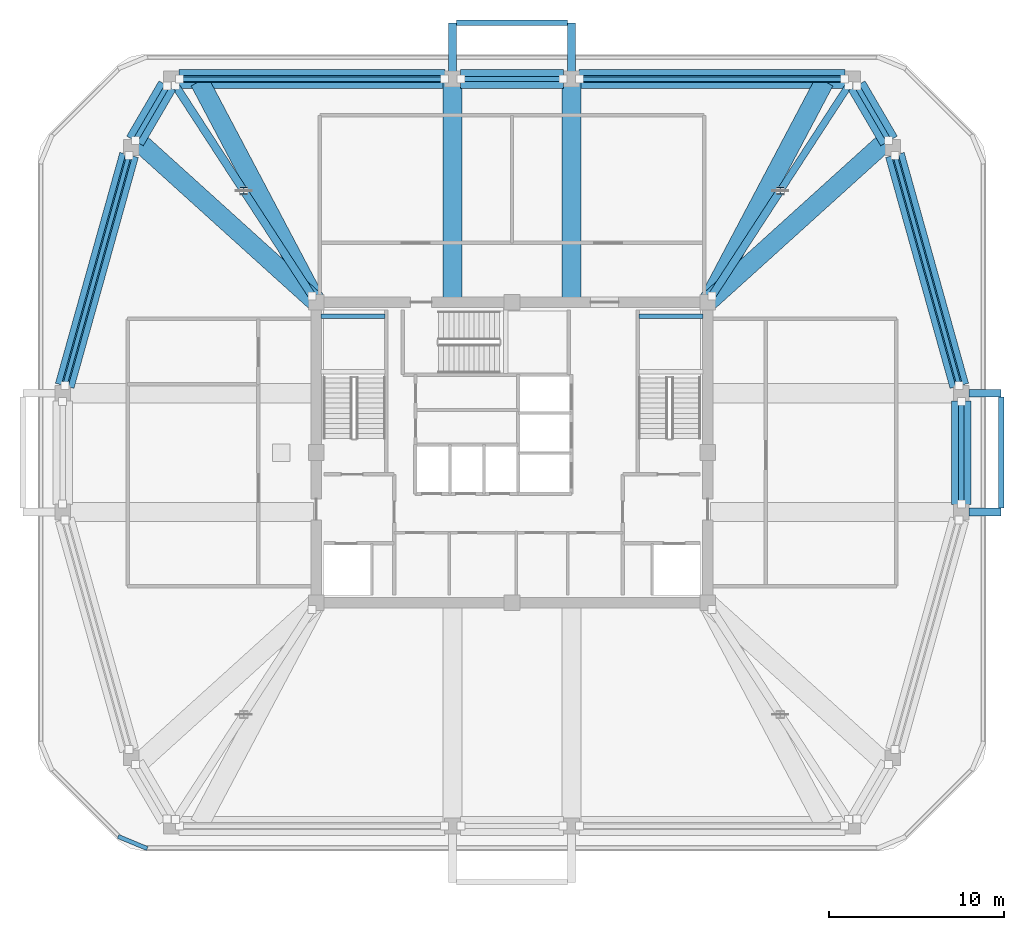
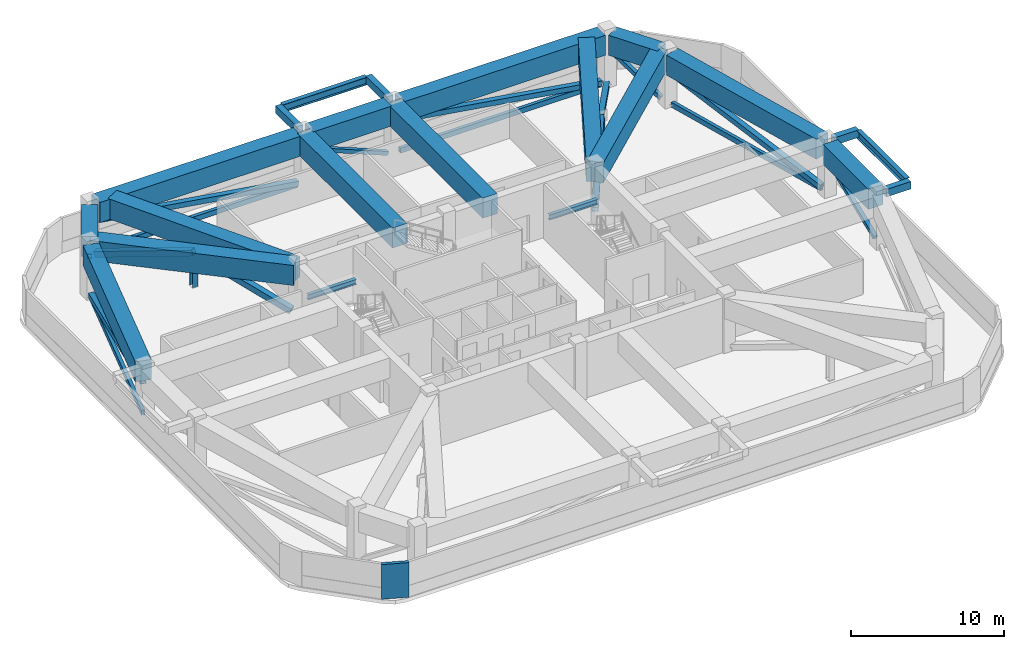
# One storey, part 2 of 9: 22 beams, 18 members, 1 plate.
"""IFC4 building model written with IfcOpenShell, lengths in metres."""

from ifc_helpers import new_model, si_unit, derived_unit, direction, frame, origin, origin_2d, place, context, subcontext, project, spatial, rectangle, hollow_rectangle, i_section, extrude, material, layer, layer_set, material_profile, profile_set, type_object, element, save


model = new_model("IFC4")

# Units and contexts
model_context = context("Model", 3, precision=1e-05, world=origin(), true_north=direction((0.0, 1.0)))
body_context = subcontext(model_context, "Body", "Model", "MODEL_VIEW")
ifc_project = project(units=[si_unit("LENGTHUNIT", "METRE"), si_unit("AREAUNIT", "SQUARE_METRE"), si_unit("VOLUMEUNIT", "CUBIC_METRE"), si_unit("PLANEANGLEUNIT", "RADIAN"), si_unit("MASSUNIT", "GRAM", prefix="KILO"), derived_unit("THERMALTRANSMITTANCEUNIT", [(si_unit("POWERUNIT", "WATT"), 1), (si_unit("LENGTHUNIT", "METRE"), -2), (si_unit("THERMODYNAMICTEMPERATUREUNIT", "KELVIN"), -1)])], contexts=[model_context])

# Site, building, storey
site_placement = place(None, origin())
site = spatial("IfcSite", under=ifc_project, at=site_placement, CompositionType="ELEMENT")
building_placement = place(site_placement, origin())
building = spatial("IfcBuilding", under=site, at=building_placement, Name="Koralith Skygarden Medical Center", CompositionType="ELEMENT")
storey_placement = place(building_placement, frame((0.0, 0.0, 232.3798828125)))
storey = spatial("IfcBuildingStorey", under=building, at=storey_placement, Name="L60", CompositionType="ELEMENT", Elevation=232.3798828125)

# Members
ifc_material_1 = material(Name="Steel ASTM A500 Grade C", Category="steel")
ifc_material_profile_1 = material_profile(ifc_material_1, hollow_rectangle(XDim=0.25, YDim=0.39990234375, WallThickness=0.01611328125, at=origin_2d()), Name="HSS400X250X16")
ifc_profile_set_1 = profile_set([ifc_material_profile_1], Name="Steel ASTM A500 Grade C")
member_type_1 = type_object("IfcMemberType", Name="Belt Truss Chord Member HSS400X250X16", PredefinedType="CHORD", material=ifc_profile_set_1)
member_1_placement = place(storey_placement, frame((62.595947265625, 29.7529296875, 0.22021484375), z_axis=(-0.268599926287, 0.96325182564, 0.0), x_axis=(-0.96325182564, -0.268599926287, 0.0)))
element("IfcMember", 1, at=member_1_placement, inside=storey, type_object=member_type_1, Name="L60 Belt Truss Bottom Chord BTC-09", PredefinedType="CHORD", context=body_context, shape_type="SweptSolid", body=[
    extrude(hollow_rectangle(XDim=0.25, YDim=0.39990234375, WallThickness=0.01611328125, at=origin_2d()), origin(), (0.0, 0.0, 1.0), 13.65576171875),
])
for number, where, z_axis, x_axis, name in (
    (2, (56.0400390625, 47.280029296875, 0.22021484375), (-1.0, 0.0, 0.0), (0.0, -1.0, 0.0), "L60 Belt Truss Bottom Chord BTC-11"),
    (3, (33.1298828125, 47.280029296875, 0.22021484375), (-1.0, 0.0, 0.0), (0.0, -1.0, 0.0), "L60 Belt Truss Bottom Chord BTC-13"),
):
    element("IfcMember", number, at=place(storey_placement, frame(where, z_axis=z_axis, x_axis=x_axis)), inside=storey, type_object=member_type_1, Name=name, PredefinedType="CHORD", context=body_context, shape_type="SweptSolid", body=[
        extrude(hollow_rectangle(XDim=0.25, YDim=0.39990234375, WallThickness=0.01611328125, at=origin_2d()), origin(), (0.0, 0.0, 1.0), 15.169921875),
    ])
member_2_placement = place(storey_placement, frame((15.072021484375, 42.906982421875, 0.22021484375), z_axis=(-0.268599926287, -0.96325182564, 0.0), x_axis=(0.96325182564, -0.268599926287, 0.0)))
element("IfcMember", 4, at=member_2_placement, inside=storey, type_object=member_type_1, Name="L60 Belt Truss Bottom Chord BTC-15", PredefinedType="CHORD", context=body_context, shape_type="SweptSolid", body=[
    extrude(hollow_rectangle(XDim=0.25, YDim=0.39990234375, WallThickness=0.01611328125, at=origin_2d()), origin(), (0.0, 0.0, 1.0), 13.65576171875),
])
ifc_material_profile_2 = material_profile(ifc_material_1, hollow_rectangle(XDim=0.39990234375, YDim=0.39990234375, WallThickness=0.01806640625, at=origin_2d()), Name="HSS400X400X18")
ifc_profile_set_2 = profile_set([ifc_material_profile_2], Name="Steel ASTM A500 Grade C")
member_type_2 = type_object("IfcMemberType", Name="Belt Truss Diagonal HSS400X400X18", PredefinedType="BRACE", material=ifc_profile_set_2)
member_3_placement = place(storey_placement, frame((62.595947265625, 29.7529296875, 0.35009765625), z_axis=(-0.264610806842, 0.948946063755, 0.171704656277), x_axis=(-0.96325182564, -0.268599926287, 0.0)))
element("IfcMember", 5, at=member_3_placement, inside=storey, type_object=member_type_2, Name="L60 Perimeter Belt Truss Diagonal BTD-09", PredefinedType="BRACE", context=body_context, shape_type="SweptSolid", body=[
    extrude(hollow_rectangle(XDim=0.39990234375, YDim=0.39990234375, WallThickness=0.01806640625, at=origin_2d()), origin(), (0.0, 0.0, 1.0), 13.86181640625),
])
for number, where, z_axis, x_axis, name in (
    (6, (56.0400390625, 47.280029296875, 0.35009765625), (-0.987914228058, 0.0, 0.15500154193), (0.0, -1.0, 0.0), "L60 Perimeter Belt Truss Diagonal BTD-11"),
    (7, (33.1298828125, 47.280029296875, 0.35009765625), (-0.987914228058, 0.0, 0.15500154193), (0.0, -1.0, 0.0), "L60 Perimeter Belt Truss Diagonal BTD-13"),
):
    element("IfcMember", number, at=place(storey_placement, frame(where, z_axis=z_axis, x_axis=x_axis)), inside=storey, type_object=member_type_2, Name=name, PredefinedType="BRACE", context=body_context, shape_type="SweptSolid", body=[
        extrude(hollow_rectangle(XDim=0.39990234375, YDim=0.39990234375, WallThickness=0.01806640625, at=origin_2d()), origin(), (0.0, 0.0, 1.0), 15.35546875),
    ])
member_4_placement = place(storey_placement, frame((15.072021484375, 42.906982421875, 0.35009765625), z_axis=(-0.264610806842, -0.948946063755, 0.171704656277), x_axis=(0.96325182564, -0.268599926287, 0.0)))
element("IfcMember", 8, at=member_4_placement, inside=storey, type_object=member_type_2, Name="L60 Perimeter Belt Truss Diagonal BTD-15", PredefinedType="BRACE", context=body_context, shape_type="SweptSolid", body=[
    extrude(hollow_rectangle(XDim=0.39990234375, YDim=0.39990234375, WallThickness=0.01806640625, at=origin_2d()), origin(), (0.0, 0.0, 1.0), 13.86181640625),
])

# Beams
ifc_material_2 = material(Name="Steel ASTM A992 Grade 50", Category="steel")
ifc_material_profile_3 = material_profile(ifc_material_2, i_section(OverallWidth=0.326904296875, OverallDepth=0.6220703125, WebThickness=0.015380859375, FlangeThickness=0.0244140625, at=origin_2d()), Name="W24X131")
ifc_profile_set_3 = profile_set([ifc_material_profile_3], Name="Steel ASTM A992 Grade 50")
beam_type_1 = type_object("IfcBeamType", Name="Cantilever Tie Beam W24X131", PredefinedType="BEAM", material=ifc_profile_set_3)
beam_1_placement = place(storey_placement, frame((33.820068359375, 50.5, 4.109130859375), z_axis=(1.0, 0.0, 0.0), x_axis=(0.0, 1.0, 0.0)))
element("IfcBeam", 9, at=beam_1_placement, inside=storey, type_object=beam_type_1, Name="L61 N Balcony Tip Tie Beam", PredefinedType="BEAM", context=body_context, shape_type="SweptSolid", body=[
    extrude(i_section(OverallWidth=0.326904296875, OverallDepth=0.6220703125, WebThickness=0.015380859375, FlangeThickness=0.0244140625, at=origin_2d()), origin(), (0.0, 0.0, 1.0), 6.35986328125),
])
beam_2_placement = place(storey_placement, frame((65.0, 22.719970703125, 4.109130859375), z_axis=(0.0, 1.0, 0.0), x_axis=(-1.0, 0.0, 0.0)))
element("IfcBeam", 10, at=beam_2_placement, inside=storey, type_object=beam_type_1, Name="L61 E Balcony Tip Tie Beam", PredefinedType="BEAM", context=body_context, shape_type="SweptSolid", body=[
    extrude(i_section(OverallWidth=0.326904296875, OverallDepth=0.6220703125, WebThickness=0.015380859375, FlangeThickness=0.0244140625, at=origin_2d()), origin(), (0.0, 0.0, 1.0), 6.360107421875),
])
ifc_material_profile_4 = material_profile(ifc_material_2, i_section(OverallWidth=0.260009765625, OverallDepth=0.4150390625, WebThickness=0.010009765625, FlangeThickness=0.016845703125, at=origin_2d()), Name="W16X67")
ifc_profile_set_4 = profile_set([ifc_material_profile_4], Name="Steel ASTM A992 Grade 50")
beam_type_2 = type_object("IfcBeamType", Name="Clinical Floor Joist W16X67", PredefinedType="JOIST", material=ifc_profile_set_4)
for number, where, z_axis, x_axis, name in (
    (11, (26.080078125, 33.699951171875, 1.93212890625), (1.0, 0.0, 0.0), (0.0, 1.0, 0.0), "L60 Stair ST1 Half-Landing Support Beam 1B"),
    (12, (44.280029296875, 33.699951171875, 1.93212890625), (1.0, 0.0, 0.0), (0.0, 1.0, 0.0), "L60 Stair ST2 Half-Landing Support Beam 1B"),
):
    element("IfcBeam", number, at=place(storey_placement, frame(where, z_axis=z_axis, x_axis=x_axis)), inside=storey, type_object=beam_type_2, Name=name, PredefinedType="JOIST", context=body_context, shape_type="SweptSolid", body=[
        extrude(i_section(OverallWidth=0.260009765625, OverallDepth=0.4150390625, WebThickness=0.010009765625, FlangeThickness=0.016845703125, at=origin_2d()), origin(), (0.0, 0.0, 1.0), 3.639892578125),
    ])

# Members
ifc_material_profile_5 = material_profile(ifc_material_1, hollow_rectangle(XDim=0.300048828125, YDim=0.300048828125, WallThickness=0.013916015625, at=origin_2d()), Name="HSS300X300X14")
ifc_profile_set_5 = profile_set([ifc_material_profile_5], Name="Steel ASTM A500 Grade C")
member_type_3 = type_object("IfcMemberType", Name="Crown Belt Strut HSS300X300X14", PredefinedType="BRACE", material=ifc_profile_set_5)
member_5_placement = place(storey_placement, frame((62.721923828125, 22.969970703125, 0.35009765625), z_axis=(0.0, 0.926496437622, 0.376303535824), x_axis=(-1.0, 0.0, 0.0)))
element("IfcMember", 13, at=member_5_placement, inside=storey, type_object=member_type_3, Name="L60 Perimeter Belt Truss Diagonal BTD-08", PredefinedType="BRACE", context=body_context, shape_type="SweptSolid", body=[
    extrude(hollow_rectangle(XDim=0.300048828125, YDim=0.300048828125, WallThickness=0.013916015625, at=origin_2d()), origin(), (0.0, 0.0, 1.0), 6.324951171875),
])
member_6_placement = place(storey_placement, frame((58.56494140625, 43.76611328125, 0.35009765625), z_axis=(-0.42118320972, 0.720072825642, 0.551452472677), x_axis=(-0.863183142582, -0.504890941058, 0.0)))
element("IfcMember", 14, at=member_6_placement, inside=storey, type_object=member_type_3, Name="L60 Perimeter Belt Truss Diagonal BTD-10", PredefinedType="BRACE", context=body_context, shape_type="SweptSolid", body=[
    extrude(hollow_rectangle(XDim=0.300048828125, YDim=0.300048828125, WallThickness=0.013916015625, at=origin_2d()), origin(), (0.0, 0.0, 1.0), 4.316162109375),
])
member_7_placement = place(storey_placement, frame((39.929931640625, 47.280029296875, 0.35009765625), z_axis=(-0.926490971515, 0.0, 0.376316993638), x_axis=(0.0, -1.0, 0.0)))
element("IfcMember", 15, at=member_7_placement, inside=storey, type_object=member_type_3, Name="L60 Perimeter Belt Truss Diagonal BTD-12", PredefinedType="BRACE", context=body_context, shape_type="SweptSolid", body=[
    extrude(hollow_rectangle(XDim=0.300048828125, YDim=0.300048828125, WallThickness=0.013916015625, at=origin_2d()), origin(), (0.0, 0.0, 1.0), 6.32470703125),
])
member_8_placement = place(storey_placement, frame((17.2529296875, 46.8740234375, 0.35009765625), z_axis=(-0.42118320972, -0.720072825642, 0.551452472677), x_axis=(0.863183142582, -0.504890941058, 0.0)))
element("IfcMember", 16, at=member_8_placement, inside=storey, type_object=member_type_3, Name="L60 Perimeter Belt Truss Diagonal BTD-14", PredefinedType="BRACE", context=body_context, shape_type="SweptSolid", body=[
    extrude(hollow_rectangle(XDim=0.300048828125, YDim=0.300048828125, WallThickness=0.013916015625, at=origin_2d()), origin(), (0.0, 0.0, 1.0), 4.316162109375),
])
ifc_material_profile_6 = material_profile(ifc_material_2, i_section(OverallWidth=0.39794921875, OverallDepth=0.386962890625, WebThickness=0.017578125, FlangeThickness=0.028076171875, at=origin_2d()), Name="W14X176")
ifc_profile_set_6 = profile_set([ifc_material_profile_6], Name="Steel ASTM A992 Grade 50")
member_type_4 = type_object("IfcMemberType", Name="Outrigger Secondary Strut W14X176", PredefinedType="BRACE", material=ifc_profile_set_6)
member_9_placement = place(storey_placement, frame((52.35498046875, 40.889892578125, 2.730224609375), z_axis=(0.517377926749, 0.795692684098, -0.314949572768), x_axis=(-0.8383580621, 0.545119949839, 0.0)))
element("IfcMember", 17, at=member_9_placement, inside=storey, type_object=member_type_4, Name="L60 Outrigger Secondary Strut ORS-04B", PredefinedType="BRACE", context=body_context, shape_type="SweptSolid", body=[
    extrude(i_section(OverallWidth=0.39794921875, OverallDepth=0.386962890625, WebThickness=0.017578125, FlangeThickness=0.028076171875, at=origin_2d()), origin(), (0.0, 0.0, 1.0), 7.55712890625),
])
ifc_material_profile_7 = material_profile(ifc_material_1, hollow_rectangle(XDim=0.449951171875, YDim=0.449951171875, WallThickness=0.02001953125, at=origin_2d()), Name="HSS450X450X20")
ifc_profile_set_7 = profile_set([ifc_material_profile_7], Name="Steel ASTM A500 Grade C")
member_type_5 = type_object("IfcMemberType", Name="Outrigger Upper Diagonal HSS450X450X20", PredefinedType="BRACE", material=ifc_profile_set_7)
member_10_placement = place(storey_placement, frame((25.554931640625, 34.876953125, 0.35009765625), z_axis=(-0.517391226458, 0.795680831498, 0.314957668857), x_axis=(-0.838347947054, -0.545135505788, 0.0)))
element("IfcMember", 18, at=member_10_placement, inside=storey, type_object=member_type_5, Name="L60 Outrigger Truss Diagonal ORD-02A", PredefinedType="BRACE", context=body_context, shape_type="SweptSolid", body=[
    extrude(hollow_rectangle(XDim=0.449951171875, YDim=0.449951171875, WallThickness=0.02001953125, at=origin_2d()), origin(), (0.0, 0.0, 1.0), 7.556884765625),
])
member_11_placement = place(storey_placement, frame((21.64501953125, 40.889892578125, 2.730224609375), z_axis=(-0.517377926749, 0.795692684098, -0.314949572768), x_axis=(-0.8383580621, -0.545119949839, 0.0)))
element("IfcMember", 19, at=member_11_placement, inside=storey, type_object=member_type_5, Name="L60 Outrigger Truss Diagonal ORD-02B", PredefinedType="BRACE", context=body_context, shape_type="SweptSolid", body=[
    extrude(hollow_rectangle(XDim=0.449951171875, YDim=0.449951171875, WallThickness=0.02001953125, at=origin_2d()), origin(), (0.0, 0.0, 1.0), 7.55712890625),
])
member_12_placement = place(storey_placement, frame((48.445068359375, 34.876953125, 0.35009765625), z_axis=(0.517391226458, 0.795680831498, 0.314957668857), x_axis=(-0.838347947054, 0.545135505788, 0.0)))
element("IfcMember", 20, at=member_12_placement, inside=storey, type_object=member_type_5, Name="L60 Outrigger Truss Diagonal ORD-04A", PredefinedType="BRACE", context=body_context, shape_type="SweptSolid", body=[
    extrude(hollow_rectangle(XDim=0.449951171875, YDim=0.449951171875, WallThickness=0.02001953125, at=origin_2d()), origin(), (0.0, 0.0, 1.0), 7.556884765625),
])
ifc_material_profile_8 = material_profile(ifc_material_2, i_section(OverallWidth=0.406005859375, OverallDepth=0.416015625, WebThickness=0.02490234375, FlangeThickness=0.0400390625, at=origin_2d()), Name="W14X257")
ifc_profile_set_8 = profile_set([ifc_material_profile_8], Name="Steel ASTM A992 Grade 50")
member_type_6 = type_object("IfcMemberType", Name="Outrigger Web Strut Post W14X257", PredefinedType="POST", material=ifc_profile_set_8)
for number, where, z_axis, x_axis, name in (
    (21, (21.64501953125, 40.889892578125, 0.0), (0.0, 0.0, 1.0), (1.0, 0.0, 0.0), "L60 Outrigger Truss Web Post ORP-02"),
    (22, (52.35498046875, 40.889892578125, 0.0), (0.0, 0.0, 1.0), (1.0, 0.0, 0.0), "L60 Outrigger Truss Web Post ORP-04"),
):
    element("IfcMember", number, at=place(storey_placement, frame(where, z_axis=z_axis, x_axis=x_axis)), inside=storey, type_object=member_type_6, Name=name, PredefinedType="POST", context=body_context, shape_type="SweptSolid", body=[
        extrude(i_section(OverallWidth=0.406005859375, OverallDepth=0.416015625, WebThickness=0.02490234375, FlangeThickness=0.0400390625, at=origin_2d()), origin(), (0.0, 0.0, 1.0), 2.730224609375),
    ])

# Beams
ifc_material_3 = material(Name="Concrete C45/55", Category="concrete")
ifc_material_profile_9 = material_profile(ifc_material_3, rectangle(XDim=0.449951171875, YDim=0.60009765625, at=origin_2d()), Name="RCB450X600")
ifc_profile_set_9 = profile_set([ifc_material_profile_9], Name="Concrete C45/55")
beam_type_3 = type_object("IfcBeamType", Name="Planted Balcony Cantilever Beam RCB450X600", PredefinedType="BEAM", material=ifc_profile_set_9)
for number, where, z_axis, x_axis, name in (
    (23, (33.60009765625, 47.7099609375, 4.1201171875), (0.0, 1.0, 0.0), (-1.0, 0.0, 0.0), "L61 N Balcony Cantilever Beam A"),
    (24, (40.39990234375, 47.7099609375, 4.1201171875), (0.0, 1.0, 0.0), (-1.0, 0.0, 0.0), "L61 N Balcony Cantilever Beam B"),
):
    element("IfcBeam", number, at=place(storey_placement, frame(where, z_axis=z_axis, x_axis=x_axis)), inside=storey, type_object=beam_type_3, Name=name, PredefinedType="BEAM", context=body_context, shape_type="SweptSolid", body=[
        extrude(rectangle(XDim=0.449951171875, YDim=0.60009765625, at=origin_2d()), origin(), (0.0, 0.0, 1.0), 2.7900390625),
    ])
for number, where, z_axis, x_axis, name in (
    (25, (63.152099609375, 22.5, 4.1201171875), (1.0, 0.0, 0.0), (0.0, 1.0, 0.0), "L61 E Balcony Cantilever Beam A"),
    (26, (63.152099609375, 29.300048828125, 4.1201171875), (1.0, 0.0, 0.0), (0.0, 1.0, 0.0), "L61 E Balcony Cantilever Beam B"),
):
    element("IfcBeam", number, at=place(storey_placement, frame(where, z_axis=z_axis, x_axis=x_axis)), inside=storey, type_object=beam_type_3, Name=name, PredefinedType="BEAM", context=body_context, shape_type="SweptSolid", body=[
        extrude(rectangle(XDim=0.449951171875, YDim=0.60009765625, at=origin_2d()), origin(), (0.0, 0.0, 1.0), 1.847900390625),
    ])
ifc_material_4 = material(Name="Concrete C55/67", Category="concrete")
ifc_material_profile_10 = material_profile(ifc_material_4, rectangle(XDim=1.10009765625, YDim=1.60009765625, at=origin_2d()), Name="RCB1100X1600")
ifc_profile_set_10 = profile_set([ifc_material_profile_10], Name="Concrete C55/67")
beam_type_4 = type_object("IfcBeamType", Name="Upper Setback Transfer Girder RCB1100X1600", PredefinedType="USERDEFINED", material=ifc_profile_set_10)
beam_3_placement = place(storey_placement, frame((48.31103515625, 34.60107421875, 3.580078125), z_axis=(0.741751906039, 0.670674369487, 0.0), x_axis=(-0.670674369487, 0.741751906039, 0.0)))
element("IfcBeam", 27, at=beam_3_placement, inside=storey, type_object=beam_type_4, Name="L60 Setback Transfer Girder STG-10", ObjectType="TRANSFER GIRDER", PredefinedType="USERDEFINED", context=body_context, shape_type="SweptSolid", body=[
    extrude(rectangle(XDim=1.10009765625, YDim=1.60009765625, at=origin_2d()), origin(), (0.0, 0.0, 1.0), 13.619140625),
])
beam_4_placement = place(storey_placement, frame((48.27001953125, 34.633056640625, 3.580078125), z_axis=(0.467334480848, 0.884080586265, 0.0), x_axis=(-0.884080586265, 0.467334480848, 0.0)))
element("IfcBeam", 28, at=beam_4_placement, inside=storey, type_object=beam_type_4, Name="L60 Setback Transfer Girder STG-11", ObjectType="TRANSFER GIRDER", PredefinedType="USERDEFINED", context=body_context, shape_type="SweptSolid", body=[
    extrude(rectangle(XDim=1.10009765625, YDim=1.60009765625, at=origin_2d()), origin(), (0.0, 0.0, 1.0), 14.15478515625),
])
for number, where, z_axis, x_axis, name in (
    (29, (40.39990234375, 34.64990234375, 3.580078125), (0.0, 1.0, 0.0), (-1.0, 0.0, 0.0), "L60 Setback Transfer Girder STG-12"),
    (30, (33.60009765625, 34.64990234375, 3.580078125), (0.0, 1.0, 0.0), (-1.0, 0.0, 0.0), "L60 Setback Transfer Girder STG-13"),
):
    element("IfcBeam", number, at=place(storey_placement, frame(where, z_axis=z_axis, x_axis=x_axis)), inside=storey, type_object=beam_type_4, Name=name, ObjectType="TRANSFER GIRDER", PredefinedType="USERDEFINED", context=body_context, shape_type="SweptSolid", body=[
        extrude(rectangle(XDim=1.10009765625, YDim=1.60009765625, at=origin_2d()), origin(), (0.0, 0.0, 1.0), 12.47998046875),
    ])
beam_5_placement = place(storey_placement, frame((25.72998046875, 34.633056640625, 3.580078125), z_axis=(-0.467334480848, 0.884080586265, 0.0), x_axis=(-0.884080586265, -0.467334480848, 0.0)))
element("IfcBeam", 31, at=beam_5_placement, inside=storey, type_object=beam_type_4, Name="L60 Setback Transfer Girder STG-14", ObjectType="TRANSFER GIRDER", PredefinedType="USERDEFINED", context=body_context, shape_type="SweptSolid", body=[
    extrude(rectangle(XDim=1.10009765625, YDim=1.60009765625, at=origin_2d()), origin(), (0.0, 0.0, 1.0), 14.15478515625),
])
beam_6_placement = place(storey_placement, frame((25.68896484375, 34.60107421875, 3.580078125), z_axis=(-0.741751906039, 0.670674369487, 0.0), x_axis=(-0.670674369487, -0.741751906039, 0.0)))
element("IfcBeam", 32, at=beam_6_placement, inside=storey, type_object=beam_type_4, Name="L60 Setback Transfer Girder STG-15", ObjectType="TRANSFER GIRDER", PredefinedType="USERDEFINED", context=body_context, shape_type="SweptSolid", body=[
    extrude(rectangle(XDim=1.10009765625, YDim=1.60009765625, at=origin_2d()), origin(), (0.0, 0.0, 1.0), 13.619140625),
])
beam_7_placement = place(storey_placement, frame((62.721923828125, 22.93994140625, 3.580078125), z_axis=(0.0, 1.0, 0.0), x_axis=(-1.0, 0.0, 0.0)))
element("IfcBeam", 33, at=beam_7_placement, inside=storey, type_object=beam_type_4, Name="L60 Perimeter Spandrel Beam SP-08", ObjectType="TRANSFER GIRDER", PredefinedType="USERDEFINED", context=body_context, shape_type="SweptSolid", body=[
    extrude(rectangle(XDim=1.10009765625, YDim=1.60009765625, at=origin_2d()), origin(), (0.0, 0.0, 1.0), 5.920166015625),
])
beam_8_placement = place(storey_placement, frame((62.60400390625, 29.72412109375, 3.580078125), z_axis=(-0.26859849356, 0.96325222515, 0.0), x_axis=(-0.96325222515, -0.26859849356, 0.0)))
element("IfcBeam", 34, at=beam_8_placement, inside=storey, type_object=beam_type_4, Name="L60 Perimeter Spandrel Beam SP-09", ObjectType="TRANSFER GIRDER", PredefinedType="USERDEFINED", context=body_context, shape_type="SweptSolid", body=[
    extrude(rectangle(XDim=1.10009765625, YDim=1.60009765625, at=origin_2d()), origin(), (0.0, 0.0, 1.0), 13.716064453125),
])
beam_9_placement = place(storey_placement, frame((58.580078125, 43.739990234375, 3.580078125), z_axis=(-0.504861750403, 0.863200216045, 0.0), x_axis=(-0.863200216045, -0.504861750403, 0.0)))
element("IfcBeam", 35, at=beam_9_placement, inside=storey, type_object=beam_type_4, Name="L60 Perimeter Spandrel Beam SP-10", ObjectType="TRANSFER GIRDER", PredefinedType="USERDEFINED", context=body_context, shape_type="SweptSolid", body=[
    extrude(rectangle(XDim=1.10009765625, YDim=1.60009765625, at=origin_2d()), origin(), (0.0, 0.0, 1.0), 3.66064453125),
])
beam_10_placement = place(storey_placement, frame((56.070068359375, 47.280029296875, 3.580078125), z_axis=(-1.0, 0.0, 0.0), x_axis=(0.0, -1.0, 0.0)))
element("IfcBeam", 36, at=beam_10_placement, inside=storey, type_object=beam_type_4, Name="L60 Perimeter Spandrel Beam SP-11", ObjectType="TRANSFER GIRDER", PredefinedType="USERDEFINED", context=body_context, shape_type="SweptSolid", body=[
    extrude(rectangle(XDim=1.10009765625, YDim=1.60009765625, at=origin_2d()), origin(), (0.0, 0.0, 1.0), 15.22998046875),
])
beam_11_placement = place(storey_placement, frame((39.9599609375, 47.280029296875, 3.580078125), z_axis=(-1.0, 0.0, 0.0), x_axis=(0.0, -1.0, 0.0)))
element("IfcBeam", 37, at=beam_11_placement, inside=storey, type_object=beam_type_4, Name="L60 Perimeter Spandrel Beam SP-12", ObjectType="TRANSFER GIRDER", PredefinedType="USERDEFINED", context=body_context, shape_type="SweptSolid", body=[
    extrude(rectangle(XDim=1.10009765625, YDim=1.60009765625, at=origin_2d()), origin(), (0.0, 0.0, 1.0), 5.919921875),
])
beam_12_placement = place(storey_placement, frame((33.159912109375, 47.280029296875, 3.580078125), z_axis=(-1.0, 0.0, 0.0), x_axis=(0.0, -1.0, 0.0)))
element("IfcBeam", 38, at=beam_12_placement, inside=storey, type_object=beam_type_4, Name="L60 Perimeter Spandrel Beam SP-13", ObjectType="TRANSFER GIRDER", PredefinedType="USERDEFINED", context=body_context, shape_type="SweptSolid", body=[
    extrude(rectangle(XDim=1.10009765625, YDim=1.60009765625, at=origin_2d()), origin(), (0.0, 0.0, 1.0), 15.22998046875),
])
beam_13_placement = place(storey_placement, frame((17.26806640625, 46.89990234375, 3.580078125), z_axis=(-0.504861750403, -0.863200216045, 0.0), x_axis=(0.863200216045, -0.504861750403, 0.0)))
element("IfcBeam", 39, at=beam_13_placement, inside=storey, type_object=beam_type_4, Name="L60 Perimeter Spandrel Beam SP-14", ObjectType="TRANSFER GIRDER", PredefinedType="USERDEFINED", context=body_context, shape_type="SweptSolid", body=[
    extrude(rectangle(XDim=1.10009765625, YDim=1.60009765625, at=origin_2d()), origin(), (0.0, 0.0, 1.0), 3.66064453125),
])
beam_14_placement = place(storey_placement, frame((15.080078125, 42.93603515625, 3.580078125), z_axis=(-0.26859849356, -0.96325222515, 0.0), x_axis=(0.96325222515, -0.26859849356, 0.0)))
element("IfcBeam", 40, at=beam_14_placement, inside=storey, type_object=beam_type_4, Name="L60 Perimeter Spandrel Beam SP-15", ObjectType="TRANSFER GIRDER", PredefinedType="USERDEFINED", context=body_context, shape_type="SweptSolid", body=[
    extrude(rectangle(XDim=1.10009765625, YDim=1.60009765625, at=origin_2d()), origin(), (0.0, 0.0, 1.0), 13.716064453125),
])

# Plate
ifc_material_5 = material(Name="Warm Oolitic Limestone Cladding", Category="masonry")
ifc_layer = layer(ifc_material_5, 0.239990234375)
ifc_layer_set = layer_set([ifc_layer], Name="Warm Oolitic Limestone Cladding")
plate_type = type_object("IfcPlateType", Name="Rounded-Corner Oolitic Limestone Cladding Panel 240", PredefinedType="USERDEFINED", material=ifc_layer_set)
plate_placement = place(storey_placement, frame((15.2880859375, 3.580078125, 0.0), z_axis=(0.0, 0.0, 1.0), x_axis=(0.92388487569, -0.382670532536, 0.0)))
element("IfcPlate", 41, at=plate_placement, inside=storey, type_object=plate_type, Name="L60 Rounded-Corner Limestone Pier 8", ObjectType="LIMESTONE CLADDING", PredefinedType="USERDEFINED", context=body_context, shape_type="SweptSolid", body=[
    extrude(rectangle(XDim=1.81103515625, YDim=0.239990234375, at=origin_2d()), origin(), (0.0, 0.0, 1.0), 2.77001953125),
])

save(model, "model.ifc")
